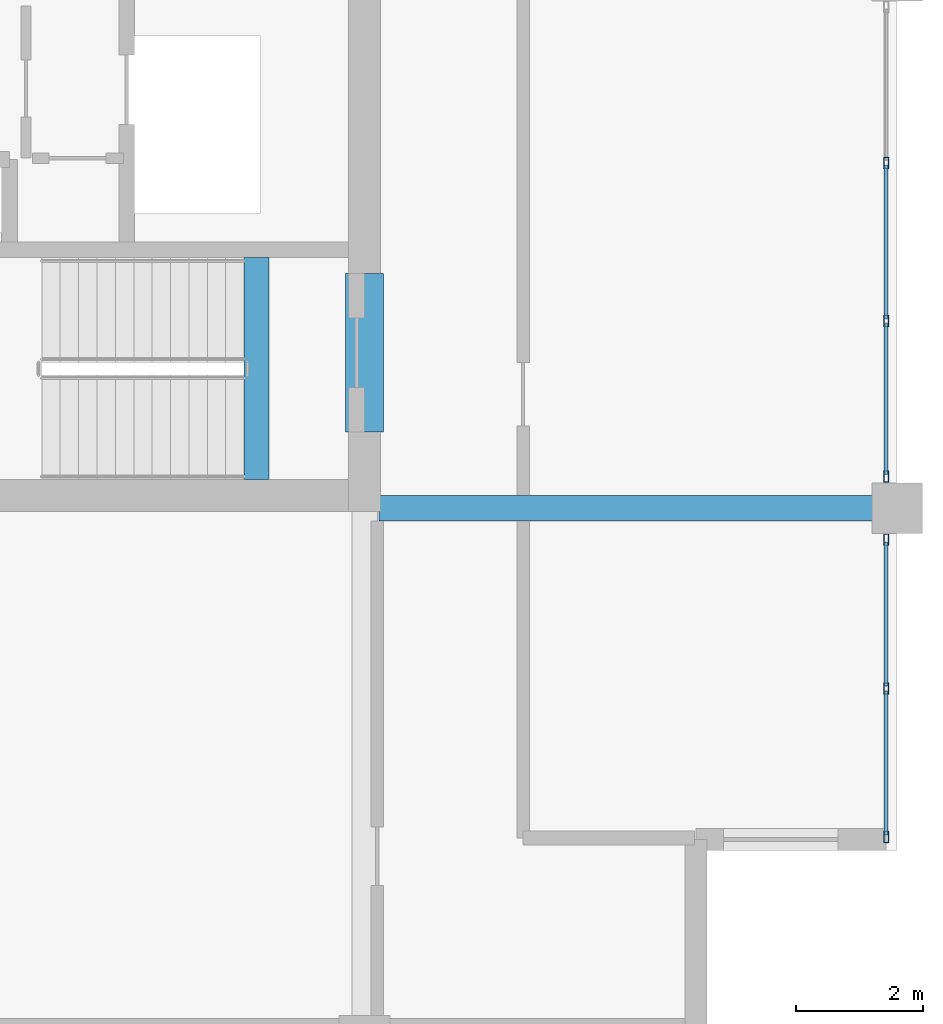
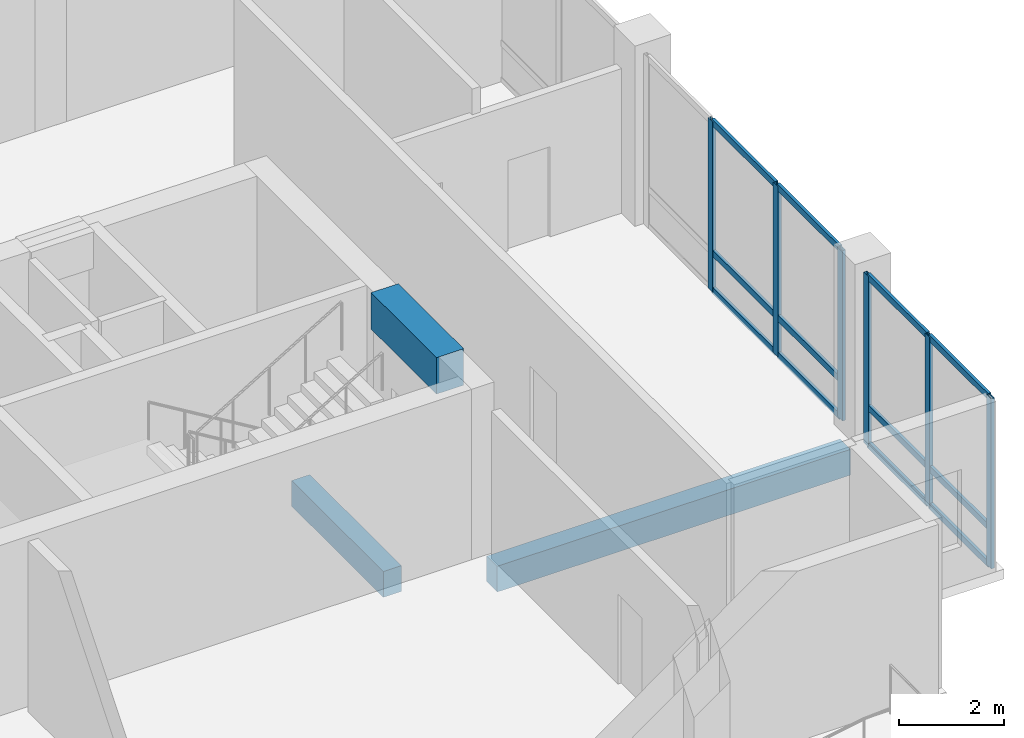
# One storey, part 2 of 16: 18 members, 3 beams, 2 elements without a shape of their own.
"""IFC4 building model written with IfcOpenShell, lengths in metres."""

from ifc_helpers import new_model, si_unit, direction, frame, origin, origin_2d, place, context, subcontext, project, spatial, rectangle, hollow_rectangle, extrude, material, layer, layer_set, material_profile, profile_set, type_object, element, aggregate, save


model = new_model("IFC4")

# Units and contexts
model_context = context("Model", 3, precision=1e-05, world=origin(), true_north=direction((0.0, 1.0)))
body_context = subcontext(model_context, "Body", "Model", "MODEL_VIEW")
ifc_project = project(units=[si_unit("LENGTHUNIT", "METRE"), si_unit("AREAUNIT", "SQUARE_METRE"), si_unit("VOLUMEUNIT", "CUBIC_METRE"), si_unit("PLANEANGLEUNIT", "RADIAN"), si_unit("MASSUNIT", "GRAM", prefix="KILO")], contexts=[model_context])

# Site, building, storey
site_placement = place(None, origin())
site = spatial("IfcSite", under=ifc_project, at=site_placement, CompositionType="ELEMENT")
building_placement = place(site_placement, origin())
building = spatial("IfcBuilding", under=site, at=building_placement, Name="Koriwani Terraces Tower", CompositionType="ELEMENT")
storey_placement = place(building_placement, frame((0.0, 0.0, 355.39990234375)))
storey = spatial("IfcBuildingStorey", under=building, at=storey_placement, Name="L88", CompositionType="ELEMENT", Elevation=355.39990234375)

# Beams
ifc_material_1 = material(Name="Concrete C50/60", Category="concrete")
ifc_material_profile_1 = material_profile(ifc_material_1, rectangle(XDim=0.60009765625, YDim=0.85009765625, at=origin_2d()), Name="Concrete C50/60", Category="LoadBearing")
ifc_profile_set_1 = profile_set([ifc_material_profile_1], Name="Concrete C50/60")
beam_type_1 = type_object("IfcBeamType", Name="BEAM_RC_COUPLING_600X850", PredefinedType="LINTEL", material=ifc_profile_set_1)
beam_1_placement = place(storey_placement, frame((58.800048828125, 18.0, 3.545166015625), z_axis=(0.0, 1.0, 0.0), x_axis=(-1.0, 0.0, 0.0)))
element("IfcBeam", 1, at=beam_1_placement, inside=storey, type_object=beam_type_1, Name="L88 Core Coupling Lintel Beam EE", PredefinedType="LINTEL", context=body_context, shape_type="SweptSolid", body=[
    extrude(rectangle(XDim=0.60009765625, YDim=0.85009765625, at=origin_2d()), origin(), (0.0, 0.0, 1.0), 2.5),
])
ifc_material_2 = material(Name="Concrete C40/50", Category="concrete")
ifc_material_profile_2 = material_profile(ifc_material_2, rectangle(XDim=0.39990234375, YDim=0.60009765625, at=origin_2d()), Name="Concrete C40/50", Category="LoadBearing")
ifc_profile_set_2 = profile_set([ifc_material_profile_2], Name="Concrete C40/50")
beam_type_2 = type_object("IfcBeamType", Name="BEAM_RC_GRID_400X600", PredefinedType="BEAM", material=ifc_profile_set_2)
beam_2_placement = place(storey_placement, frame((57.094970703125, 17.25, -0.2998046875), z_axis=(0.0, 1.0, 0.0), x_axis=(-1.0, 0.0, 0.0)))
element("IfcBeam", 2, at=beam_2_placement, inside=storey, type_object=beam_type_2, Name="L88 Stairwell Header Trimmer Beam ST-E2", PredefinedType="BEAM", context=body_context, shape_type="SweptSolid", body=[
    extrude(rectangle(XDim=0.39990234375, YDim=0.60009765625, at=origin_2d()), origin(), (0.0, 0.0, 1.0), 3.5),
])
beam_3_placement = place(storey_placement, frame((59.030029296875, 16.800048828125, -0.52978515625), z_axis=(1.0, 0.0, 0.0), x_axis=(0.0, 1.0, 0.0)))
element("IfcBeam", 3, at=beam_3_placement, inside=storey, type_object=beam_type_2, Name="L88 Grid Beam C (58.8-67.2m)", PredefinedType="BEAM", context=body_context, shape_type="SweptSolid", body=[
    extrude(rectangle(XDim=0.39990234375, YDim=0.60009765625, at=origin_2d()), origin(), (0.0, 0.0, 1.0), 7.7900390625),
])

# Curtain wall, members
ifc_material_3 = material(Name="Anodised Bronze Aluminium", Category="aluminium")
ifc_layer = layer(ifc_material_3, 0.18994140625, Name="Anodised Bronze Aluminium")
ifc_layer_set = layer_set([ifc_layer], Name="Anodised Bronze Aluminium")
curtain_wall_type = type_object("IfcCurtainWallType", Name="CW_PENTHOUSE_ZONE5", PredefinedType="NOTDEFINED", material=ifc_layer_set)
curtain_wall_1_placement = place(storey_placement, origin())
curtain_wall_1 = element("IfcCurtainWall", 4, at=curtain_wall_1_placement, inside=storey, type_object=curtain_wall_type, Name="L88 Unitised Curtain Wall (E_TIP) Bay 2", PredefinedType="NOTDEFINED")
ifc_material_profile_3 = material_profile(ifc_material_3, hollow_rectangle(XDim=0.074951171875, YDim=0.179931640625, WallThickness=0.006103515625, at=origin_2d()), Name="Anodised Bronze Aluminium", Category="LoadBearing")
ifc_profile_set_3 = profile_set([ifc_material_profile_3], Name="Anodised Bronze Aluminium")
member_type_1 = type_object("IfcMemberType", Name="CW_MULLION_180X75", PredefinedType="MULLION", material=ifc_profile_set_3)
member_1_placement = place(storey_placement, frame((67.02490234375, 22.24658203125, 0.0), z_axis=(0.0, 0.0, 1.0), x_axis=(1.0, 0.0, 0.0)))
member_1 = element("IfcMember", 5, at=member_1_placement, type_object=member_type_1, Name="CW-Z5 mullion 2", PredefinedType="MULLION", context=body_context, shape_type="SweptSolid", body=[
    extrude(hollow_rectangle(XDim=0.074951171875, YDim=0.179931640625, WallThickness=0.006103515625, at=origin_2d()), origin(), (0.0, 0.0, 1.0), 3.97021484375),
])
member_2_placement = place(storey_placement, frame((67.02490234375, 19.75341796875, 0.0), z_axis=(0.0, 0.0, 1.0), x_axis=(1.0, 0.0, 0.0)))
member_2 = element("IfcMember", 6, at=member_2_placement, type_object=member_type_1, Name="CW-Z5 mullion 3", PredefinedType="MULLION", context=body_context, shape_type="SweptSolid", body=[
    extrude(hollow_rectangle(XDim=0.074951171875, YDim=0.179931640625, WallThickness=0.006103515625, at=origin_2d()), origin(), (0.0, 0.0, 1.0), 3.97021484375),
])
member_3_placement = place(storey_placement, frame((67.02490234375, 17.297607421875, 0.0), z_axis=(0.0, 0.0, 1.0), x_axis=(1.0, 0.0, 0.0)))
member_3 = element("IfcMember", 7, at=member_3_placement, type_object=member_type_1, Name="CW-Z5 mullion 4", PredefinedType="MULLION", context=body_context, shape_type="SweptSolid", body=[
    extrude(hollow_rectangle(XDim=0.074951171875, YDim=0.179931640625, WallThickness=0.006103515625, at=origin_2d()), origin(), (0.0, 0.0, 1.0), 3.97021484375),
])

curtain_wall_2_placement = place(storey_placement, origin())
curtain_wall_2 = element("IfcCurtainWall", 8, at=curtain_wall_2_placement, inside=storey, type_object=curtain_wall_type, Name="L88 Unitised Curtain Wall (E_TIP) Bay 3", PredefinedType="NOTDEFINED")
member_4_placement = place(storey_placement, frame((67.02490234375, 16.302490234375, 0.0), z_axis=(0.0, 0.0, 1.0), x_axis=(1.0, 0.0, 0.0)))
member_4 = element("IfcMember", 9, at=member_4_placement, type_object=member_type_1, Name="CW-Z5 mullion 1", PredefinedType="MULLION", context=body_context, shape_type="SweptSolid", body=[
    extrude(hollow_rectangle(XDim=0.074951171875, YDim=0.179931640625, WallThickness=0.006103515625, at=origin_2d()), origin(), (0.0, 0.0, 1.0), 3.97021484375),
])
member_5_placement = place(storey_placement, frame((67.02490234375, 13.95751953125, 0.0), z_axis=(0.0, 0.0, 1.0), x_axis=(1.0, 0.0, 0.0)))
member_5 = element("IfcMember", 10, at=member_5_placement, type_object=member_type_1, Name="CW-Z5 mullion 2", PredefinedType="MULLION", context=body_context, shape_type="SweptSolid", body=[
    extrude(hollow_rectangle(XDim=0.074951171875, YDim=0.179931640625, WallThickness=0.006103515625, at=origin_2d()), origin(), (0.0, 0.0, 1.0), 3.97021484375),
])
member_6_placement = place(storey_placement, frame((67.02490234375, 11.612548828125, 0.0), z_axis=(0.0, 0.0, 1.0), x_axis=(1.0, 0.0, 0.0)))
member_6 = element("IfcMember", 11, at=member_6_placement, type_object=member_type_1, Name="CW-Z5 mullion 3", PredefinedType="MULLION", context=body_context, shape_type="SweptSolid", body=[
    extrude(hollow_rectangle(XDim=0.074951171875, YDim=0.179931640625, WallThickness=0.006103515625, at=origin_2d()), origin(), (0.0, 0.0, 1.0), 3.97021484375),
])

# Member
ifc_material_profile_4 = material_profile(ifc_material_3, hollow_rectangle(XDim=0.06494140625, YDim=0.14990234375, WallThickness=0.0048828125, at=origin_2d()), Name="Anodised Bronze Aluminium", Category="LoadBearing")
ifc_profile_set_4 = profile_set([ifc_material_profile_4], Name="Anodised Bronze Aluminium")
member_type_2 = type_object("IfcMemberType", Name="CW_TRANSOM_150X65", PredefinedType="USERDEFINED", material=ifc_profile_set_4)
member_7_placement = place(storey_placement, frame((67.02490234375, 22.209228515625, 0.03271484375), z_axis=(0.0, -1.0, 0.0), x_axis=(1.0, 0.0, 0.0)))
member_7 = element("IfcMember", 12, at=member_7_placement, type_object=member_type_2, Name="CW-Z5 transom 2.1", ObjectType="TRANSOM", PredefinedType="USERDEFINED", context=body_context, shape_type="SweptSolid", body=[
    extrude(hollow_rectangle(XDim=0.06494140625, YDim=0.14990234375, WallThickness=0.0048828125, at=origin_2d()), origin(), (0.0, 0.0, 1.0), 2.41845703125),
])

member_8_placement = place(storey_placement, frame((67.02490234375, 22.209228515625, 0.900146484375), z_axis=(0.0, -1.0, 0.0), x_axis=(1.0, 0.0, 0.0)))
member_8 = element("IfcMember", 13, at=member_8_placement, type_object=member_type_2, Name="CW-Z5 transom 2.2", ObjectType="TRANSOM", PredefinedType="USERDEFINED", context=body_context, shape_type="SweptSolid", body=[
    extrude(hollow_rectangle(XDim=0.06494140625, YDim=0.14990234375, WallThickness=0.0048828125, at=origin_2d()), origin(), (0.0, 0.0, 1.0), 2.41845703125),
])

member_9_placement = place(storey_placement, frame((67.02490234375, 22.209228515625, 3.9375), z_axis=(0.0, -1.0, 0.0), x_axis=(1.0, 0.0, 0.0)))
member_9 = element("IfcMember", 14, at=member_9_placement, type_object=member_type_2, Name="CW-Z5 transom 2.3", ObjectType="TRANSOM", PredefinedType="USERDEFINED", context=body_context, shape_type="SweptSolid", body=[
    extrude(hollow_rectangle(XDim=0.06494140625, YDim=0.14990234375, WallThickness=0.0048828125, at=origin_2d()), origin(), (0.0, 0.0, 1.0), 2.41845703125),
])

member_10_placement = place(storey_placement, frame((67.02490234375, 19.7158203125, 0.03271484375), z_axis=(0.0, -1.0, 0.0), x_axis=(1.0, 0.0, 0.0)))
member_10 = element("IfcMember", 15, at=member_10_placement, type_object=member_type_2, Name="CW-Z5 transom 3.1", ObjectType="TRANSOM", PredefinedType="USERDEFINED", context=body_context, shape_type="SweptSolid", body=[
    extrude(hollow_rectangle(XDim=0.06494140625, YDim=0.14990234375, WallThickness=0.0048828125, at=origin_2d()), origin(), (0.0, 0.0, 1.0), 2.380859375),
])

member_11_placement = place(storey_placement, frame((67.02490234375, 19.7158203125, 0.900146484375), z_axis=(0.0, -1.0, 0.0), x_axis=(1.0, 0.0, 0.0)))
member_11 = element("IfcMember", 16, at=member_11_placement, type_object=member_type_2, Name="CW-Z5 transom 3.2", ObjectType="TRANSOM", PredefinedType="USERDEFINED", context=body_context, shape_type="SweptSolid", body=[
    extrude(hollow_rectangle(XDim=0.06494140625, YDim=0.14990234375, WallThickness=0.0048828125, at=origin_2d()), origin(), (0.0, 0.0, 1.0), 2.380859375),
])

member_12_placement = place(storey_placement, frame((67.02490234375, 19.7158203125, 3.9375), z_axis=(0.0, -1.0, 0.0), x_axis=(1.0, 0.0, 0.0)))
member_12 = element("IfcMember", 17, at=member_12_placement, type_object=member_type_2, Name="CW-Z5 transom 3.3", ObjectType="TRANSOM", PredefinedType="USERDEFINED", context=body_context, shape_type="SweptSolid", body=[
    extrude(hollow_rectangle(XDim=0.06494140625, YDim=0.14990234375, WallThickness=0.0048828125, at=origin_2d()), origin(), (0.0, 0.0, 1.0), 2.380859375),
])

aggregate(curtain_wall_1, [member_1, member_2, member_3, member_7, member_8, member_9, member_10, member_11, member_12])

member_13_placement = place(storey_placement, frame((67.02490234375, 16.264892578125, 0.03271484375), z_axis=(0.0, -1.0, 0.0), x_axis=(1.0, 0.0, 0.0)))
member_13 = element("IfcMember", 18, at=member_13_placement, type_object=member_type_2, Name="CW-Z5 transom 1.1", ObjectType="TRANSOM", PredefinedType="USERDEFINED", context=body_context, shape_type="SweptSolid", body=[
    extrude(hollow_rectangle(XDim=0.06494140625, YDim=0.14990234375, WallThickness=0.0048828125, at=origin_2d()), origin(), (0.0, 0.0, 1.0), 2.269775390625),
])

member_14_placement = place(storey_placement, frame((67.02490234375, 16.264892578125, 0.900146484375), z_axis=(0.0, -1.0, 0.0), x_axis=(1.0, 0.0, 0.0)))
member_14 = element("IfcMember", 19, at=member_14_placement, type_object=member_type_2, Name="CW-Z5 transom 1.2", ObjectType="TRANSOM", PredefinedType="USERDEFINED", context=body_context, shape_type="SweptSolid", body=[
    extrude(hollow_rectangle(XDim=0.06494140625, YDim=0.14990234375, WallThickness=0.0048828125, at=origin_2d()), origin(), (0.0, 0.0, 1.0), 2.269775390625),
])

member_15_placement = place(storey_placement, frame((67.02490234375, 16.264892578125, 3.9375), z_axis=(0.0, -1.0, 0.0), x_axis=(1.0, 0.0, 0.0)))
member_15 = element("IfcMember", 20, at=member_15_placement, type_object=member_type_2, Name="CW-Z5 transom 1.3", ObjectType="TRANSOM", PredefinedType="USERDEFINED", context=body_context, shape_type="SweptSolid", body=[
    extrude(hollow_rectangle(XDim=0.06494140625, YDim=0.14990234375, WallThickness=0.0048828125, at=origin_2d()), origin(), (0.0, 0.0, 1.0), 2.269775390625),
])

member_16_placement = place(storey_placement, frame((67.02490234375, 13.919921875, 0.03271484375), z_axis=(0.0, -1.0, 0.0), x_axis=(1.0, 0.0, 0.0)))
member_16 = element("IfcMember", 21, at=member_16_placement, type_object=member_type_2, Name="CW-Z5 transom 2.1", ObjectType="TRANSOM", PredefinedType="USERDEFINED", context=body_context, shape_type="SweptSolid", body=[
    extrude(hollow_rectangle(XDim=0.06494140625, YDim=0.14990234375, WallThickness=0.0048828125, at=origin_2d()), origin(), (0.0, 0.0, 1.0), 2.27001953125),
])

member_17_placement = place(storey_placement, frame((67.02490234375, 13.919921875, 0.900146484375), z_axis=(0.0, -1.0, 0.0), x_axis=(1.0, 0.0, 0.0)))
member_17 = element("IfcMember", 22, at=member_17_placement, type_object=member_type_2, Name="CW-Z5 transom 2.2", ObjectType="TRANSOM", PredefinedType="USERDEFINED", context=body_context, shape_type="SweptSolid", body=[
    extrude(hollow_rectangle(XDim=0.06494140625, YDim=0.14990234375, WallThickness=0.0048828125, at=origin_2d()), origin(), (0.0, 0.0, 1.0), 2.27001953125),
])

member_18_placement = place(storey_placement, frame((67.02490234375, 13.919921875, 3.9375), z_axis=(0.0, -1.0, 0.0), x_axis=(1.0, 0.0, 0.0)))
member_18 = element("IfcMember", 23, at=member_18_placement, type_object=member_type_2, Name="CW-Z5 transom 2.3", ObjectType="TRANSOM", PredefinedType="USERDEFINED", context=body_context, shape_type="SweptSolid", body=[
    extrude(hollow_rectangle(XDim=0.06494140625, YDim=0.14990234375, WallThickness=0.0048828125, at=origin_2d()), origin(), (0.0, 0.0, 1.0), 2.27001953125),
])

aggregate(curtain_wall_2, [member_4, member_5, member_6, member_13, member_14, member_15, member_16, member_17, member_18])

save(model, "model.ifc")
